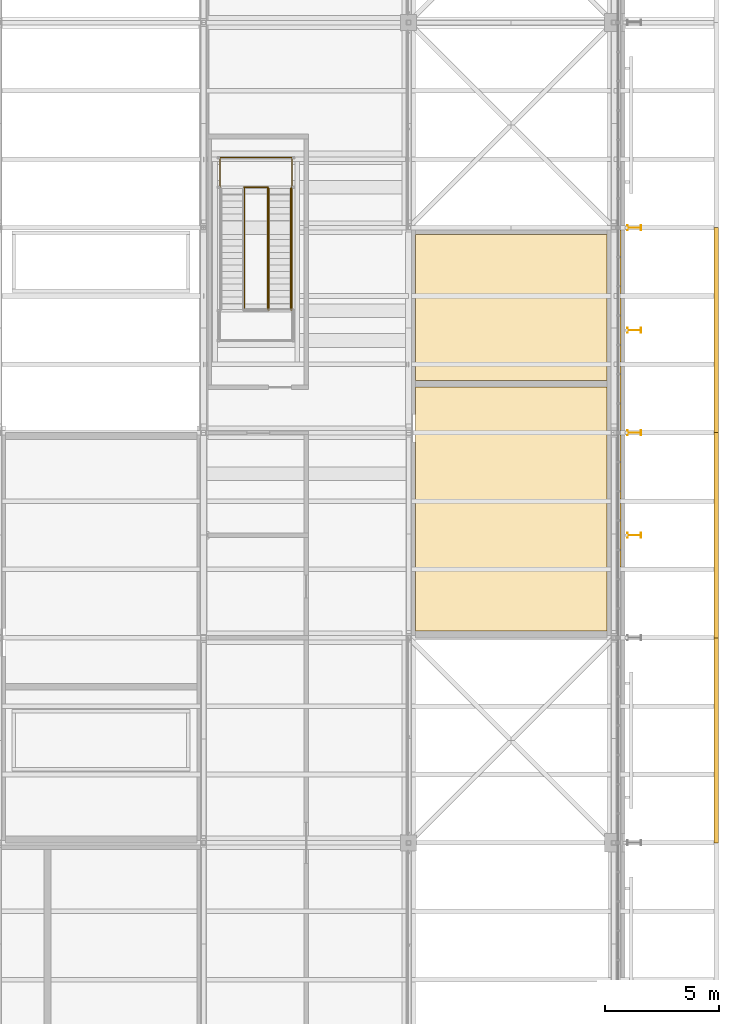
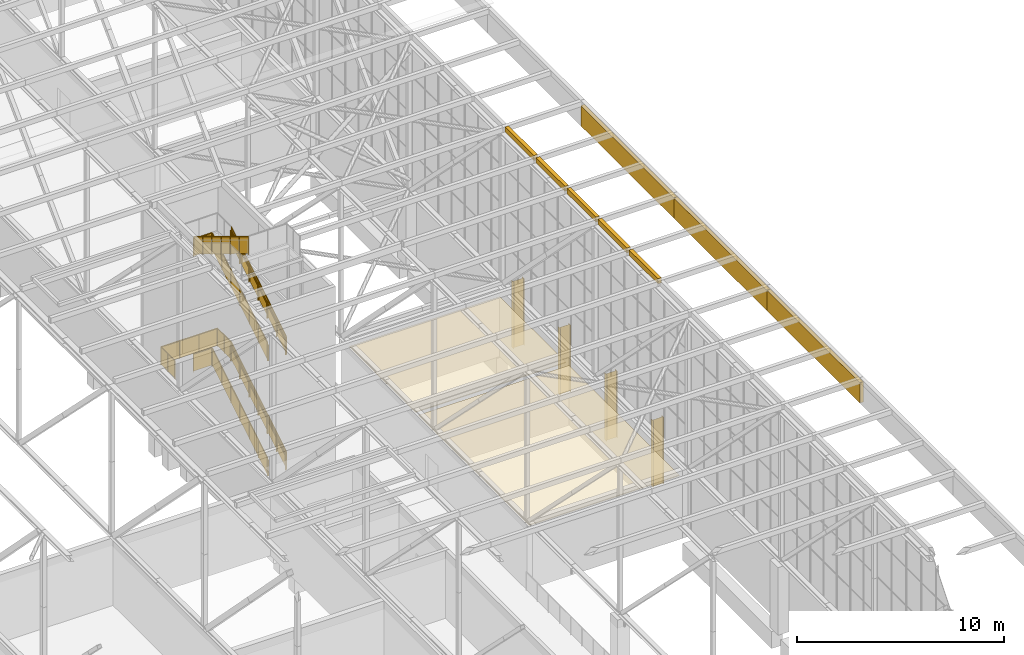
# One storey, part 639 of 646: 12 railings, 10 coverings, 4 shading devices.
"""IFC4 building model written with IfcOpenShell, lengths in metres."""

from ifc_helpers import new_model, si_unit, direction, frame, origin, origin_2d, place, context, subcontext, project, spatial, polyline, circle, i_section, outline, extrude, material, layer, layer_set, material_profile, profile_set, type_object, element, save


model = new_model("IFC4")

# Units and contexts
model_context = context("Model", 3, precision=1e-05, world=origin(), true_north=direction((0.0, 1.0)))
body_context = subcontext(model_context, "Body", "Model", "MODEL_VIEW")
ifc_project = project(units=[si_unit("LENGTHUNIT", "METRE"), si_unit("AREAUNIT", "SQUARE_METRE"), si_unit("VOLUMEUNIT", "CUBIC_METRE"), si_unit("PLANEANGLEUNIT", "RADIAN"), si_unit("MASSUNIT", "GRAM", prefix="KILO")], contexts=[model_context])

# Site, building, storey
site_placement = place(None, origin())
site = spatial("IfcSite", under=ifc_project, at=site_placement, CompositionType="ELEMENT")
building_placement = place(site_placement, origin())
building = spatial("IfcBuilding", under=site, at=building_placement, Name="Silverbay Arena", CompositionType="ELEMENT")
storey_placement = place(building_placement, frame((0.0, 0.0, 33.5)))
storey = spatial("IfcBuildingStorey", under=building, at=storey_placement, Name="L05", CompositionType="ELEMENT", Elevation=33.5)

# Coverings
ifc_material_1 = material(Name="Fire-resisting board ceiling")
ifc_layer_1 = layer(ifc_material_1, 0.050048828125)
ifc_layer_set_1 = layer_set([ifc_layer_1], Name="Fire-resisting board ceiling")
covering_type_1 = type_object("IfcCoveringType", Name="Fire-resisting ceiling EI 120", PredefinedType="CEILING", material=ifc_layer_set_1)
covering_1_placement = place(storey_placement, frame((0.0, 0.0, 3.5)))
element("IfcCovering", 1, at=covering_1_placement, inside=storey, type_object=covering_type_1, Name="Fire-resisting ceiling 65", PredefinedType="CEILING", context=body_context, shape_type="SweptSolid", body=[
    extrude(outline(polyline([(198.300048828125, 54.300048828125), (206.699951171875, 54.300048828125), (206.699951171875, 65.0), (198.300048828125, 65.0), (198.300048828125, 54.300048828125)])), origin(), (0.0, 0.0, 1.0), 0.050048828125),
])
covering_2_placement = place(storey_placement, frame((0.0, 0.0, 3.5)))
element("IfcCovering", 2, at=covering_2_placement, inside=storey, type_object=covering_type_1, Name="Fire-resisting ceiling 66", PredefinedType="CEILING", context=body_context, shape_type="SweptSolid", body=[
    extrude(outline(polyline([(198.300048828125, 65.300048828125), (206.699951171875, 65.300048828125), (206.699951171875, 71.699951171875), (198.300048828125, 71.699951171875), (198.300048828125, 65.300048828125)])), origin(), (0.0, 0.0, 1.0), 0.050048828125),
])
ifc_material_2 = material(Name="Insulated metal cladding panel")
ifc_layer_2 = layer(ifc_material_2, 0.199951171875)
ifc_layer_set_2 = layer_set([ifc_layer_2], Name="Insulated metal cladding panel")
covering_type_2 = type_object("IfcCoveringType", Name="Gable head closer 200", PredefinedType="CLADDING", material=ifc_layer_set_2)
covering_3_placement = place(storey_placement, frame((0.0, 0.0, 13.0)))
element("IfcCovering", 3, at=covering_3_placement, inside=storey, type_object=covering_type_2, Name="ROOF GABLE HEAD CLOSER east 17", PredefinedType="CLADDING", context=body_context, shape_type="SweptSolid", body=[
    extrude(outline(polyline([(207.110107421875, 57.10009765625), (207.31005859375, 57.10009765625), (207.31005859375, 59.89990234375), (207.110107421875, 59.89990234375), (207.110107421875, 57.10009765625)])), origin(), (0.0, 0.0, 1.0), 0.300048828125),
])
covering_4_placement = place(storey_placement, frame((0.0, 0.0, 13.0)))
element("IfcCovering", 4, at=covering_4_placement, inside=storey, type_object=covering_type_2, Name="ROOF GABLE HEAD CLOSER east 18", PredefinedType="CLADDING", context=body_context, shape_type="SweptSolid", body=[
    extrude(outline(polyline([(207.110107421875, 60.10009765625), (207.31005859375, 60.10009765625), (207.31005859375, 62.89990234375), (207.110107421875, 62.89990234375), (207.110107421875, 60.10009765625)])), origin(), (0.0, 0.0, 1.0), 0.300048828125),
])
covering_5_placement = place(storey_placement, frame((0.0, 0.0, 13.0)))
element("IfcCovering", 5, at=covering_5_placement, inside=storey, type_object=covering_type_2, Name="ROOF GABLE HEAD CLOSER east 19", PredefinedType="CLADDING", context=body_context, shape_type="SweptSolid", body=[
    extrude(outline(polyline([(207.110107421875, 63.10009765625), (207.31005859375, 63.10009765625), (207.31005859375, 65.89990234375), (207.110107421875, 65.89990234375), (207.110107421875, 63.10009765625)])), origin(), (0.0, 0.0, 1.0), 0.300048828125),
])
covering_6_placement = place(storey_placement, frame((0.0, 0.0, 13.0)))
element("IfcCovering", 6, at=covering_6_placement, inside=storey, type_object=covering_type_2, Name="ROOF GABLE HEAD CLOSER east 20", PredefinedType="CLADDING", context=body_context, shape_type="SweptSolid", body=[
    extrude(outline(polyline([(207.110107421875, 66.10009765625), (207.31005859375, 66.10009765625), (207.31005859375, 68.89990234375), (207.110107421875, 68.89990234375), (207.110107421875, 66.10009765625)])), origin(), (0.0, 0.0, 1.0), 0.300048828125),
])
covering_7_placement = place(storey_placement, frame((0.0, 0.0, 13.0)))
element("IfcCovering", 7, at=covering_7_placement, inside=storey, type_object=covering_type_2, Name="ROOF GABLE HEAD CLOSER east 21", PredefinedType="CLADDING", context=body_context, shape_type="SweptSolid", body=[
    extrude(outline(polyline([(207.110107421875, 69.10009765625), (207.31005859375, 69.10009765625), (207.31005859375, 71.89990234375), (207.110107421875, 71.89990234375), (207.110107421875, 69.10009765625)])), origin(), (0.0, 0.0, 1.0), 0.300048828125),
])
ifc_material_3 = material(Name="Insulated metal cladding panel")
ifc_layer_3 = layer(ifc_material_3, 0.199951171875)
ifc_layer_set_3 = layer_set([ifc_layer_3], Name="Insulated metal cladding panel")
covering_type_3 = type_object("IfcCoveringType", Name="Roof edge fascia 200", PredefinedType="CLADDING", material=ifc_layer_set_3)
covering_8_placement = place(storey_placement, frame((0.0, 0.0, 11.800048828125)))
element("IfcCovering", 8, at=covering_8_placement, inside=storey, type_object=covering_type_3, Name="ROOF EDGE FASCIA east bay 05", PredefinedType="CLADDING", context=body_context, shape_type="SweptSolid", body=[
    extrude(outline(polyline([(211.39990234375, 45.0), (211.60009765625, 45.0), (211.60009765625, 54.0), (211.39990234375, 54.0), (211.39990234375, 45.0)])), origin(), (0.0, 0.0, 1.0), 1.199951171875),
])
covering_9_placement = place(storey_placement, frame((0.0, 0.0, 11.800048828125)))
element("IfcCovering", 9, at=covering_9_placement, inside=storey, type_object=covering_type_3, Name="ROOF EDGE FASCIA east bay 06", PredefinedType="CLADDING", context=body_context, shape_type="SweptSolid", body=[
    extrude(outline(polyline([(211.39990234375, 54.0), (211.60009765625, 54.0), (211.60009765625, 63.0), (211.39990234375, 63.0), (211.39990234375, 54.0)])), origin(), (0.0, 0.0, 1.0), 1.199951171875),
])
covering_10_placement = place(storey_placement, frame((0.0, 0.0, 11.800048828125)))
element("IfcCovering", 10, at=covering_10_placement, inside=storey, type_object=covering_type_3, Name="ROOF EDGE FASCIA east bay 07", PredefinedType="CLADDING", context=body_context, shape_type="SweptSolid", body=[
    extrude(outline(polyline([(211.39990234375, 63.0), (211.60009765625, 63.0), (211.60009765625, 72.0), (211.39990234375, 72.0), (211.39990234375, 63.0)])), origin(), (0.0, 0.0, 1.0), 1.199951171875),
])

# Railings
ifc_material_4 = material(Name="Stainless steel", Category="steel")
railing_type_1 = type_object("IfcRailingType", Name="Stair guard 1100", PredefinedType="GUARDRAIL", material=ifc_material_4)
railing_1_placement = place(storey_placement, frame((192.875, 68.39990234375, 0.169921875)))
element("IfcRailing", 11, at=railing_1_placement, inside=storey, type_object=railing_type_1, Name="Stair RA2 L05 to ROOF flight 1 guard left", PredefinedType="GUARDRAIL", context=body_context, shape_type="SweptSolid", body=[
    extrude(circle(Radius=0.02392578125, at=origin_2d()), frame((0.0, 0.0, 1.076171875), z_axis=(0.0, 0.854791865604, 0.518970968838), x_axis=(-1.0, 0.0, 0.0)), (0.0, 0.0, 1.0), 6.223876953125),
    extrude(outline(polyline([(-0.008056640625, 0.045166015625), (0.894775390625, 0.59326171875), (0.894775390625, 1.59619140625), (-0.008056640625, 1.048095703125), (-0.008056640625, 0.045166015625)])), frame((-0.0029296875, 0.0, 0.0), z_axis=(1.0, 0.0, 0.0), x_axis=(0.0, 1.0, 0.0)), (0.0, 0.0, 1.0), 0.006103515625),
    extrude(outline(polyline([(-0.008056640625, 0.58349609375), (0.894775390625, 1.131591796875), (0.894775390625, 2.134521484375), (-0.008056640625, 1.58642578125), (-0.008056640625, 0.58349609375)])), frame((-0.0029296875, 0.88671875, 0.0), z_axis=(1.0, 0.0, 0.0), x_axis=(0.0, 1.0, 0.0)), (0.0, 0.0, 1.0), 0.006103515625),
    extrude(outline(polyline([(-0.008056640625, 1.121826171875), (0.894775390625, 1.669921875), (0.894775390625, 2.6728515625), (-0.008056640625, 2.124755859375), (-0.008056640625, 1.121826171875)])), frame((-0.0029296875, 1.7734375, 0.0), z_axis=(1.0, 0.0, 0.0), x_axis=(0.0, 1.0, 0.0)), (0.0, 0.0, 1.0), 0.006103515625),
    extrude(outline(polyline([(-0.008056640625, 1.66015625), (0.894775390625, 2.208251953125), (0.894775390625, 3.211181640625), (-0.008056640625, 2.6630859375), (-0.008056640625, 1.66015625)])), frame((-0.0029296875, 2.66015625, 0.0), z_axis=(1.0, 0.0, 0.0), x_axis=(0.0, 1.0, 0.0)), (0.0, 0.0, 1.0), 0.006103515625),
    extrude(outline(polyline([(-0.008056640625, 2.198486328125), (0.894775390625, 2.74658203125), (0.894775390625, 3.74951171875), (-0.008056640625, 3.201416015625), (-0.008056640625, 2.198486328125)])), frame((-0.0029296875, 3.546630859375, 0.0), z_axis=(1.0, 0.0, 0.0), x_axis=(0.0, 1.0, 0.0)), (0.0, 0.0, 1.0), 0.006103515625),
    extrude(outline(polyline([(-0.008056640625, 2.73681640625), (0.894775390625, 3.284912109375), (0.894775390625, 4.287841796875), (-0.008056640625, 3.73974609375), (-0.008056640625, 2.73681640625)])), frame((-0.0029296875, 4.433349609375, 0.0), z_axis=(1.0, 0.0, 0.0), x_axis=(0.0, 1.0, 0.0)), (0.0, 0.0, 1.0), 0.006103515625),
    extrude(circle(Radius=0.02099609375, at=origin_2d()), origin(), (0.0, 0.0, 1.0), 1.052001953125),
    extrude(circle(Radius=0.02099609375, at=origin_2d()), frame((0.0, 0.88671875, 0.538330078125)), (0.0, 0.0, 1.0), 1.052001953125),
    extrude(circle(Radius=0.02099609375, at=origin_2d()), frame((0.0, 1.7734375, 1.07666015625)), (0.0, 0.0, 1.0), 1.052001953125),
    extrude(circle(Radius=0.02099609375, at=origin_2d()), frame((0.0, 2.66015625, 1.614990234375)), (0.0, 0.0, 1.0), 1.052001953125),
    extrude(circle(Radius=0.02099609375, at=origin_2d()), frame((0.0, 3.546630859375, 2.1533203125)), (0.0, 0.0, 1.0), 1.052001953125),
    extrude(circle(Radius=0.02099609375, at=origin_2d()), frame((0.0, 4.433349609375, 2.691650390625)), (0.0, 0.0, 1.0), 1.052001953125),
    extrude(circle(Radius=0.02099609375, at=origin_2d()), frame((0.0, 5.320068359375, 3.22998046875)), (0.0, 0.0, 1.0), 1.052001953125),
])
railing_2_placement = place(storey_placement, frame((191.824951171875, 68.39990234375, 0.169921875)))
element("IfcRailing", 12, at=railing_2_placement, inside=storey, type_object=railing_type_1, Name="Stair RA2 L05 to ROOF flight 1 guard right", PredefinedType="GUARDRAIL", context=body_context, shape_type="SweptSolid", body=[
    extrude(circle(Radius=0.02392578125, at=origin_2d()), frame((0.0, 0.0, 1.076171875), z_axis=(0.0, 0.854791865604, 0.518970968838), x_axis=(-1.0, 0.0, 0.0)), (0.0, 0.0, 1.0), 6.223876953125),
    extrude(outline(polyline([(-0.008056640625, 0.045166015625), (0.894775390625, 0.59326171875), (0.894775390625, 1.59619140625), (-0.008056640625, 1.048095703125), (-0.008056640625, 0.045166015625)])), frame((-0.0029296875, 0.0, 0.0), z_axis=(1.0, 0.0, 0.0), x_axis=(0.0, 1.0, 0.0)), (0.0, 0.0, 1.0), 0.006103515625),
    extrude(outline(polyline([(-0.008056640625, 0.58349609375), (0.894775390625, 1.131591796875), (0.894775390625, 2.134521484375), (-0.008056640625, 1.58642578125), (-0.008056640625, 0.58349609375)])), frame((-0.0029296875, 0.88671875, 0.0), z_axis=(1.0, 0.0, 0.0), x_axis=(0.0, 1.0, 0.0)), (0.0, 0.0, 1.0), 0.006103515625),
    extrude(outline(polyline([(-0.008056640625, 1.121826171875), (0.894775390625, 1.669921875), (0.894775390625, 2.6728515625), (-0.008056640625, 2.124755859375), (-0.008056640625, 1.121826171875)])), frame((-0.0029296875, 1.7734375, 0.0), z_axis=(1.0, 0.0, 0.0), x_axis=(0.0, 1.0, 0.0)), (0.0, 0.0, 1.0), 0.006103515625),
    extrude(outline(polyline([(-0.008056640625, 1.66015625), (0.894775390625, 2.208251953125), (0.894775390625, 3.211181640625), (-0.008056640625, 2.6630859375), (-0.008056640625, 1.66015625)])), frame((-0.0029296875, 2.66015625, 0.0), z_axis=(1.0, 0.0, 0.0), x_axis=(0.0, 1.0, 0.0)), (0.0, 0.0, 1.0), 0.006103515625),
    extrude(outline(polyline([(-0.008056640625, 2.198486328125), (0.894775390625, 2.74658203125), (0.894775390625, 3.74951171875), (-0.008056640625, 3.201416015625), (-0.008056640625, 2.198486328125)])), frame((-0.0029296875, 3.546630859375, 0.0), z_axis=(1.0, 0.0, 0.0), x_axis=(0.0, 1.0, 0.0)), (0.0, 0.0, 1.0), 0.006103515625),
    extrude(outline(polyline([(-0.008056640625, 2.73681640625), (0.894775390625, 3.284912109375), (0.894775390625, 4.287841796875), (-0.008056640625, 3.73974609375), (-0.008056640625, 2.73681640625)])), frame((-0.0029296875, 4.433349609375, 0.0), z_axis=(1.0, 0.0, 0.0), x_axis=(0.0, 1.0, 0.0)), (0.0, 0.0, 1.0), 0.006103515625),
    extrude(circle(Radius=0.02099609375, at=origin_2d()), origin(), (0.0, 0.0, 1.0), 1.052001953125),
    extrude(circle(Radius=0.02099609375, at=origin_2d()), frame((0.0, 0.88671875, 0.538330078125)), (0.0, 0.0, 1.0), 1.052001953125),
    extrude(circle(Radius=0.02099609375, at=origin_2d()), frame((0.0, 1.7734375, 1.07666015625)), (0.0, 0.0, 1.0), 1.052001953125),
    extrude(circle(Radius=0.02099609375, at=origin_2d()), frame((0.0, 2.66015625, 1.614990234375)), (0.0, 0.0, 1.0), 1.052001953125),
    extrude(circle(Radius=0.02099609375, at=origin_2d()), frame((0.0, 3.546630859375, 2.1533203125)), (0.0, 0.0, 1.0), 1.052001953125),
    extrude(circle(Radius=0.02099609375, at=origin_2d()), frame((0.0, 4.433349609375, 2.691650390625)), (0.0, 0.0, 1.0), 1.052001953125),
    extrude(circle(Radius=0.02099609375, at=origin_2d()), frame((0.0, 5.320068359375, 3.22998046875)), (0.0, 0.0, 1.0), 1.052001953125),
])
railing_3_placement = place(storey_placement, frame((192.875, 68.39990234375, 6.969970703125)))
element("IfcRailing", 13, at=railing_3_placement, inside=storey, type_object=railing_type_1, Name="Stair RA2 L05 to ROOF flight 3 guard left", PredefinedType="GUARDRAIL", context=body_context, shape_type="SweptSolid", body=[
    extrude(circle(Radius=0.02392578125, at=origin_2d()), frame((0.0, 0.0, 1.076171875), z_axis=(0.0, 0.854791865604, 0.518970968838), x_axis=(-1.0, 0.0, 0.0)), (0.0, 0.0, 1.0), 6.223876953125),
    extrude(outline(polyline([(-0.008056640625, 0.045166015625), (0.894775390625, 0.59326171875), (0.894775390625, 1.59619140625), (-0.008056640625, 1.048095703125), (-0.008056640625, 0.045166015625)])), frame((-0.0029296875, 0.0, 0.0), z_axis=(1.0, 0.0, 0.0), x_axis=(0.0, 1.0, 0.0)), (0.0, 0.0, 1.0), 0.006103515625),
    extrude(outline(polyline([(-0.008056640625, 0.58349609375), (0.894775390625, 1.131591796875), (0.894775390625, 2.134521484375), (-0.008056640625, 1.58642578125), (-0.008056640625, 0.58349609375)])), frame((-0.0029296875, 0.88671875, 0.0), z_axis=(1.0, 0.0, 0.0), x_axis=(0.0, 1.0, 0.0)), (0.0, 0.0, 1.0), 0.006103515625),
    extrude(outline(polyline([(-0.008056640625, 1.121826171875), (0.894775390625, 1.669921875), (0.894775390625, 2.6728515625), (-0.008056640625, 2.124755859375), (-0.008056640625, 1.121826171875)])), frame((-0.0029296875, 1.7734375, 0.0), z_axis=(1.0, 0.0, 0.0), x_axis=(0.0, 1.0, 0.0)), (0.0, 0.0, 1.0), 0.006103515625),
    extrude(outline(polyline([(-0.008056640625, 1.66015625), (0.894775390625, 2.208251953125), (0.894775390625, 3.211181640625), (-0.008056640625, 2.6630859375), (-0.008056640625, 1.66015625)])), frame((-0.0029296875, 2.66015625, 0.0), z_axis=(1.0, 0.0, 0.0), x_axis=(0.0, 1.0, 0.0)), (0.0, 0.0, 1.0), 0.006103515625),
    extrude(outline(polyline([(-0.008056640625, 2.198486328125), (0.894775390625, 2.74658203125), (0.894775390625, 3.74951171875), (-0.008056640625, 3.201416015625), (-0.008056640625, 2.198486328125)])), frame((-0.0029296875, 3.546630859375, 0.0), z_axis=(1.0, 0.0, 0.0), x_axis=(0.0, 1.0, 0.0)), (0.0, 0.0, 1.0), 0.006103515625),
    extrude(outline(polyline([(-0.008056640625, 2.73681640625), (0.894775390625, 3.284912109375), (0.894775390625, 4.287841796875), (-0.008056640625, 3.73974609375), (-0.008056640625, 2.73681640625)])), frame((-0.0029296875, 4.433349609375, 0.0), z_axis=(1.0, 0.0, 0.0), x_axis=(0.0, 1.0, 0.0)), (0.0, 0.0, 1.0), 0.006103515625),
    extrude(circle(Radius=0.02099609375, at=origin_2d()), origin(), (0.0, 0.0, 1.0), 1.052001953125),
    extrude(circle(Radius=0.02099609375, at=origin_2d()), frame((0.0, 0.88671875, 0.538330078125)), (0.0, 0.0, 1.0), 1.052001953125),
    extrude(circle(Radius=0.02099609375, at=origin_2d()), frame((0.0, 1.7734375, 1.07666015625)), (0.0, 0.0, 1.0), 1.052001953125),
    extrude(circle(Radius=0.02099609375, at=origin_2d()), frame((0.0, 2.66015625, 1.614990234375)), (0.0, 0.0, 1.0), 1.052001953125),
    extrude(circle(Radius=0.02099609375, at=origin_2d()), frame((0.0, 3.546630859375, 2.1533203125)), (0.0, 0.0, 1.0), 1.052001953125),
    extrude(circle(Radius=0.02099609375, at=origin_2d()), frame((0.0, 4.433349609375, 2.691650390625)), (0.0, 0.0, 1.0), 1.052001953125),
    extrude(circle(Radius=0.02099609375, at=origin_2d()), frame((0.0, 5.320068359375, 3.22998046875)), (0.0, 0.0, 1.0), 1.052001953125),
])
railing_4_placement = place(storey_placement, frame((191.824951171875, 68.39990234375, 6.969970703125)))
element("IfcRailing", 14, at=railing_4_placement, inside=storey, type_object=railing_type_1, Name="Stair RA2 L05 to ROOF flight 3 guard right", PredefinedType="GUARDRAIL", context=body_context, shape_type="SweptSolid", body=[
    extrude(circle(Radius=0.02392578125, at=origin_2d()), frame((0.0, 0.0, 1.076171875), z_axis=(0.0, 0.854791865604, 0.518970968838), x_axis=(-1.0, 0.0, 0.0)), (0.0, 0.0, 1.0), 6.223876953125),
    extrude(outline(polyline([(-0.008056640625, 0.045166015625), (0.894775390625, 0.59326171875), (0.894775390625, 1.59619140625), (-0.008056640625, 1.048095703125), (-0.008056640625, 0.045166015625)])), frame((-0.0029296875, 0.0, 0.0), z_axis=(1.0, 0.0, 0.0), x_axis=(0.0, 1.0, 0.0)), (0.0, 0.0, 1.0), 0.006103515625),
    extrude(outline(polyline([(-0.008056640625, 0.58349609375), (0.894775390625, 1.131591796875), (0.894775390625, 2.134521484375), (-0.008056640625, 1.58642578125), (-0.008056640625, 0.58349609375)])), frame((-0.0029296875, 0.88671875, 0.0), z_axis=(1.0, 0.0, 0.0), x_axis=(0.0, 1.0, 0.0)), (0.0, 0.0, 1.0), 0.006103515625),
    extrude(outline(polyline([(-0.008056640625, 1.121826171875), (0.894775390625, 1.669921875), (0.894775390625, 2.6728515625), (-0.008056640625, 2.124755859375), (-0.008056640625, 1.121826171875)])), frame((-0.0029296875, 1.7734375, 0.0), z_axis=(1.0, 0.0, 0.0), x_axis=(0.0, 1.0, 0.0)), (0.0, 0.0, 1.0), 0.006103515625),
    extrude(outline(polyline([(-0.008056640625, 1.66015625), (0.894775390625, 2.208251953125), (0.894775390625, 3.211181640625), (-0.008056640625, 2.6630859375), (-0.008056640625, 1.66015625)])), frame((-0.0029296875, 2.66015625, 0.0), z_axis=(1.0, 0.0, 0.0), x_axis=(0.0, 1.0, 0.0)), (0.0, 0.0, 1.0), 0.006103515625),
    extrude(outline(polyline([(-0.008056640625, 2.198486328125), (0.894775390625, 2.74658203125), (0.894775390625, 3.74951171875), (-0.008056640625, 3.201416015625), (-0.008056640625, 2.198486328125)])), frame((-0.0029296875, 3.546630859375, 0.0), z_axis=(1.0, 0.0, 0.0), x_axis=(0.0, 1.0, 0.0)), (0.0, 0.0, 1.0), 0.006103515625),
    extrude(outline(polyline([(-0.008056640625, 2.73681640625), (0.894775390625, 3.284912109375), (0.894775390625, 4.287841796875), (-0.008056640625, 3.73974609375), (-0.008056640625, 2.73681640625)])), frame((-0.0029296875, 4.433349609375, 0.0), z_axis=(1.0, 0.0, 0.0), x_axis=(0.0, 1.0, 0.0)), (0.0, 0.0, 1.0), 0.006103515625),
    extrude(circle(Radius=0.02099609375, at=origin_2d()), origin(), (0.0, 0.0, 1.0), 1.052001953125),
    extrude(circle(Radius=0.02099609375, at=origin_2d()), frame((0.0, 0.88671875, 0.538330078125)), (0.0, 0.0, 1.0), 1.052001953125),
    extrude(circle(Radius=0.02099609375, at=origin_2d()), frame((0.0, 1.7734375, 1.07666015625)), (0.0, 0.0, 1.0), 1.052001953125),
    extrude(circle(Radius=0.02099609375, at=origin_2d()), frame((0.0, 2.66015625, 1.614990234375)), (0.0, 0.0, 1.0), 1.052001953125),
    extrude(circle(Radius=0.02099609375, at=origin_2d()), frame((0.0, 3.546630859375, 2.1533203125)), (0.0, 0.0, 1.0), 1.052001953125),
    extrude(circle(Radius=0.02099609375, at=origin_2d()), frame((0.0, 4.433349609375, 2.691650390625)), (0.0, 0.0, 1.0), 1.052001953125),
    extrude(circle(Radius=0.02099609375, at=origin_2d()), frame((0.0, 5.320068359375, 3.22998046875)), (0.0, 0.0, 1.0), 1.052001953125),
])
railing_5_placement = place(storey_placement, frame((190.77490234375, 73.719970703125, 10.3701171875)))
element("IfcRailing", 15, at=railing_5_placement, inside=storey, type_object=railing_type_1, Name="Stair RA2 L05 to ROOF flight 4 guard left", PredefinedType="GUARDRAIL", context=body_context, shape_type="SweptSolid", body=[
    extrude(circle(Radius=0.02392578125, at=origin_2d()), frame((0.0, 0.0, 1.076171875), z_axis=(0.0, -0.854791865604, 0.518970968838), x_axis=(1.0, 0.0, 0.0)), (0.0, 0.0, 1.0), 6.223876953125),
    extrude(outline(polyline([(-0.008056640625, 0.045166015625), (0.894775390625, 0.59326171875), (0.894775390625, 1.59619140625), (-0.008056640625, 1.048095703125), (-0.008056640625, 0.045166015625)])), frame((0.0029296875, 0.0, 0.0), z_axis=(-1.0, 0.0, 0.0), x_axis=(0.0, -1.0, 0.0)), (0.0, 0.0, 1.0), 0.006103515625),
    extrude(outline(polyline([(-0.008056640625, 0.58349609375), (0.894775390625, 1.131591796875), (0.894775390625, 2.134521484375), (-0.008056640625, 1.58642578125), (-0.008056640625, 0.58349609375)])), frame((0.0029296875, -0.88671875, 0.0), z_axis=(-1.0, 0.0, 0.0), x_axis=(0.0, -1.0, 0.0)), (0.0, 0.0, 1.0), 0.006103515625),
    extrude(outline(polyline([(-0.008056640625, 1.121826171875), (0.894775390625, 1.669921875), (0.894775390625, 2.6728515625), (-0.008056640625, 2.124755859375), (-0.008056640625, 1.121826171875)])), frame((0.0029296875, -1.7734375, 0.0), z_axis=(-1.0, 0.0, 0.0), x_axis=(0.0, -1.0, 0.0)), (0.0, 0.0, 1.0), 0.006103515625),
    extrude(outline(polyline([(-0.008056640625, 1.66015625), (0.894775390625, 2.208251953125), (0.894775390625, 3.211181640625), (-0.008056640625, 2.6630859375), (-0.008056640625, 1.66015625)])), frame((0.0029296875, -2.66015625, 0.0), z_axis=(-1.0, 0.0, 0.0), x_axis=(0.0, -1.0, 0.0)), (0.0, 0.0, 1.0), 0.006103515625),
    extrude(outline(polyline([(-0.008056640625, 2.198486328125), (0.894775390625, 2.74658203125), (0.894775390625, 3.74951171875), (-0.008056640625, 3.201416015625), (-0.008056640625, 2.198486328125)])), frame((0.0029296875, -3.546630859375, 0.0), z_axis=(-1.0, 0.0, 0.0), x_axis=(0.0, -1.0, 0.0)), (0.0, 0.0, 1.0), 0.006103515625),
    extrude(outline(polyline([(-0.008056640625, 2.73681640625), (0.894775390625, 3.284912109375), (0.894775390625, 4.287841796875), (-0.008056640625, 3.73974609375), (-0.008056640625, 2.73681640625)])), frame((0.0029296875, -4.433349609375, 0.0), z_axis=(-1.0, 0.0, 0.0), x_axis=(0.0, -1.0, 0.0)), (0.0, 0.0, 1.0), 0.006103515625),
    extrude(circle(Radius=0.02099609375, at=origin_2d()), origin(), (0.0, 0.0, 1.0), 1.052001953125),
    extrude(circle(Radius=0.02099609375, at=origin_2d()), frame((0.0, -0.88671875, 0.538330078125)), (0.0, 0.0, 1.0), 1.052001953125),
    extrude(circle(Radius=0.02099609375, at=origin_2d()), frame((0.0, -1.7734375, 1.07666015625)), (0.0, 0.0, 1.0), 1.052001953125),
    extrude(circle(Radius=0.02099609375, at=origin_2d()), frame((0.0, -2.66015625, 1.614990234375)), (0.0, 0.0, 1.0), 1.052001953125),
    extrude(circle(Radius=0.02099609375, at=origin_2d()), frame((0.0, -3.546630859375, 2.1533203125)), (0.0, 0.0, 1.0), 1.052001953125),
    extrude(circle(Radius=0.02099609375, at=origin_2d()), frame((0.0, -4.433349609375, 2.691650390625)), (0.0, 0.0, 1.0), 1.052001953125),
    extrude(circle(Radius=0.02099609375, at=origin_2d()), frame((0.0, -5.320068359375, 3.22998046875)), (0.0, 0.0, 1.0), 1.052001953125),
])
railing_6_placement = place(storey_placement, frame((192.875, 73.719970703125, 3.39990234375)))
element("IfcRailing", 16, at=railing_6_placement, inside=storey, type_object=railing_type_1, Name="Stair RA2 L05 to ROOF landing 1 guard", PredefinedType="GUARDRAIL", context=body_context, shape_type="SweptSolid", body=[
    extrude(circle(Radius=0.02392578125, at=origin_2d()), frame((0.0, 0.0, 1.076171875), z_axis=(0.0, 1.0, 0.0), x_axis=(-1.0, 0.0, 0.0)), (0.0, 0.0, 1.0), 1.35009765625),
    extrude(outline(polyline([(-0.008056640625, 0.050048828125), (0.68310546875, 0.050048828125), (0.68310546875, 1.052978515625), (-0.008056640625, 1.052978515625), (-0.008056640625, 0.050048828125)])), frame((-0.0029296875, 0.0, 0.0), z_axis=(1.0, 0.0, 0.0), x_axis=(0.0, 1.0, 0.0)), (0.0, 0.0, 1.0), 0.006103515625),
    extrude(outline(polyline([(-0.008056640625, 0.050048828125), (0.68310546875, 0.050048828125), (0.68310546875, 1.052978515625), (-0.008056640625, 1.052978515625), (-0.008056640625, 0.050048828125)])), frame((-0.0029296875, 0.675048828125, 0.0), z_axis=(1.0, 0.0, 0.0), x_axis=(0.0, 1.0, 0.0)), (0.0, 0.0, 1.0), 0.006103515625),
    extrude(circle(Radius=0.02392578125, at=origin_2d()), frame((0.0, 1.35009765625, 1.076171875), z_axis=(-1.0, 0.0, 0.0), x_axis=(0.0, -1.0, 0.0)), (0.0, 0.0, 1.0), 3.14990234375),
    extrude(outline(polyline([(-0.008056640625, 0.050048828125), (1.057861328125, 0.050048828125), (1.057861328125, 1.052978515625), (-0.008056640625, 1.052978515625), (-0.008056640625, 0.050048828125)])), frame((0.0, 1.34716796875, 0.0), z_axis=(0.0, 1.0, 0.0), x_axis=(-1.0, 0.0, 0.0)), (0.0, 0.0, 1.0), 0.006103515625),
    extrude(outline(polyline([(-0.008056640625, 0.050048828125), (1.057861328125, 0.050048828125), (1.057861328125, 1.052978515625), (-0.008056640625, 1.052978515625), (-0.008056640625, 0.050048828125)])), frame((-1.050048828125, 1.34716796875, 0.0), z_axis=(0.0, 1.0, 0.0), x_axis=(-1.0, 0.0, 0.0)), (0.0, 0.0, 1.0), 0.006103515625),
    extrude(outline(polyline([(-0.008056640625, 0.050048828125), (1.057861328125, 0.050048828125), (1.057861328125, 1.052978515625), (-0.008056640625, 1.052978515625), (-0.008056640625, 0.050048828125)])), frame((-2.099853515625, 1.34716796875, 0.0), z_axis=(0.0, 1.0, 0.0), x_axis=(-1.0, 0.0, 0.0)), (0.0, 0.0, 1.0), 0.006103515625),
    extrude(circle(Radius=0.02392578125, at=origin_2d()), frame((-3.14990234375, 1.35009765625, 1.076171875), z_axis=(0.0, -1.0, 0.0), x_axis=(1.0, 0.0, 0.0)), (0.0, 0.0, 1.0), 1.35009765625),
    extrude(outline(polyline([(-0.008056640625, 0.050048828125), (0.68310546875, 0.050048828125), (0.68310546875, 1.052978515625), (-0.008056640625, 1.052978515625), (-0.008056640625, 0.050048828125)])), frame((-3.14697265625, 1.35009765625, 0.0), z_axis=(-1.0, 0.0, 0.0), x_axis=(0.0, -1.0, 0.0)), (0.0, 0.0, 1.0), 0.006103515625),
    extrude(outline(polyline([(-0.008056640625, 0.050048828125), (0.68310546875, 0.050048828125), (0.68310546875, 1.052978515625), (-0.008056640625, 1.052978515625), (-0.008056640625, 0.050048828125)])), frame((-3.14697265625, 0.675048828125, 0.0), z_axis=(-1.0, 0.0, 0.0), x_axis=(0.0, -1.0, 0.0)), (0.0, 0.0, 1.0), 0.006103515625),
    extrude(circle(Radius=0.02099609375, at=origin_2d()), origin(), (0.0, 0.0, 1.0), 1.052001953125),
    extrude(circle(Radius=0.02099609375, at=origin_2d()), frame((0.0, 0.675048828125, 0.0)), (0.0, 0.0, 1.0), 1.052001953125),
    extrude(circle(Radius=0.02099609375, at=origin_2d()), frame((0.0, 1.35009765625, 0.0)), (0.0, 0.0, 1.0), 1.052001953125),
    extrude(circle(Radius=0.02099609375, at=origin_2d()), frame((-1.050048828125, 1.35009765625, 0.0)), (0.0, 0.0, 1.0), 1.052001953125),
    extrude(circle(Radius=0.02099609375, at=origin_2d()), frame((-2.099853515625, 1.35009765625, 0.0)), (0.0, 0.0, 1.0), 1.052001953125),
    extrude(circle(Radius=0.02099609375, at=origin_2d()), frame((-3.14990234375, 1.35009765625, 0.0)), (0.0, 0.0, 1.0), 1.052001953125),
    extrude(circle(Radius=0.02099609375, at=origin_2d()), frame((-3.14990234375, 0.675048828125, 0.0)), (0.0, 0.0, 1.0), 1.052001953125),
    extrude(circle(Radius=0.02099609375, at=origin_2d()), frame((-3.14990234375, 0.0, 0.0)), (0.0, 0.0, 1.0), 1.052001953125),
])
for number, where, name in (
    (17, (191.824951171875, 73.77001953125, 3.39990234375), "Stair RA2 L05 to ROOF landing 1 guard"),
    (18, (191.824951171875, 73.77001953125, 10.199951171875), "Stair RA2 L05 to ROOF landing 3 guard"),
):
    element("IfcRailing", number, at=place(storey_placement, frame(where)), inside=storey, type_object=railing_type_1, Name=name, PredefinedType="GUARDRAIL", context=body_context, shape_type="SweptSolid", body=[
        extrude(circle(Radius=0.02392578125, at=origin_2d()), frame((0.0, 0.0, 1.076171875), z_axis=(-1.0, 0.0, 0.0), x_axis=(0.0, -1.0, 0.0)), (0.0, 0.0, 1.0), 1.050048828125),
        extrude(outline(polyline([(-0.008056640625, 0.050048828125), (1.05810546875, 0.050048828125), (1.05810546875, 1.052978515625), (-0.008056640625, 1.052978515625), (-0.008056640625, 0.050048828125)])), frame((0.0, -0.0029296875, 0.0), z_axis=(0.0, 1.0, 0.0), x_axis=(-1.0, 0.0, 0.0)), (0.0, 0.0, 1.0), 0.006103515625),
        extrude(circle(Radius=0.02099609375, at=origin_2d()), origin(), (0.0, 0.0, 1.0), 1.052001953125),
        extrude(circle(Radius=0.02099609375, at=origin_2d()), frame((-1.050048828125, 0.0, 0.0)), (0.0, 0.0, 1.0), 1.052001953125),
    ])
ifc_material_5 = material(Name="Stainless steel", Category="steel")
railing_type_2 = type_object("IfcRailingType", Name="Stair handrail 900", PredefinedType="HANDRAIL", material=ifc_material_5)
for number, where, name in (
    (19, (192.8359375, 68.39990234375, 0.169921875), "Stair RA2 L05 to ROOF flight 1 handrail left"),
    (20, (191.864013671875, 68.39990234375, 0.169921875), "Stair RA2 L05 to ROOF flight 1 handrail right"),
    (21, (192.8359375, 68.39990234375, 6.969970703125), "Stair RA2 L05 to ROOF flight 3 handrail left"),
    (22, (191.864013671875, 68.39990234375, 6.969970703125), "Stair RA2 L05 to ROOF flight 3 handrail right"),
):
    element("IfcRailing", number, at=place(storey_placement, frame(where)), inside=storey, type_object=railing_type_2, Name=name, PredefinedType="HANDRAIL", context=body_context, shape_type="SweptSolid", body=[
        extrude(circle(Radius=0.02392578125, at=origin_2d()), frame((0.0, 0.0, 0.8759765625), z_axis=(0.0, 0.854791865604, 0.518970968838), x_axis=(-1.0, 0.0, 0.0)), (0.0, 0.0, 1.0), 6.223876953125),
        extrude(circle(Radius=0.02099609375, at=origin_2d()), origin(), (0.0, 0.0, 1.0), 0.851806640625),
        extrude(circle(Radius=0.02099609375, at=origin_2d()), frame((0.0, 0.88671875, 0.538330078125)), (0.0, 0.0, 1.0), 0.851806640625),
        extrude(circle(Radius=0.02099609375, at=origin_2d()), frame((0.0, 1.7734375, 1.07666015625)), (0.0, 0.0, 1.0), 0.851806640625),
        extrude(circle(Radius=0.02099609375, at=origin_2d()), frame((0.0, 2.66015625, 1.614990234375)), (0.0, 0.0, 1.0), 0.851806640625),
        extrude(circle(Radius=0.02099609375, at=origin_2d()), frame((0.0, 3.546630859375, 2.1533203125)), (0.0, 0.0, 1.0), 0.851806640625),
        extrude(circle(Radius=0.02099609375, at=origin_2d()), frame((0.0, 4.433349609375, 2.691650390625)), (0.0, 0.0, 1.0), 0.851806640625),
        extrude(circle(Radius=0.02099609375, at=origin_2d()), frame((0.0, 5.320068359375, 3.22998046875)), (0.0, 0.0, 1.0), 0.851806640625),
    ])

# Shading devices
ifc_material_6 = material(Name="Steel S355", Category="steel")
ifc_material_profile = material_profile(ifc_material_6, i_section(OverallWidth=0.2275390625, OverallDepth=0.6025390625, WebThickness=0.010498046875, FlangeThickness=0.014892578125, at=origin_2d()), Name="UB 610x229x101")
ifc_profile_set = profile_set([ifc_material_profile], Name="Steel S355")
shading_device_type = type_object("IfcShadingDeviceType", Name="Steel fin UB 610x229x101", PredefinedType="USERDEFINED", material=ifc_profile_set)
for number, where, z_axis, x_axis, name in (
    (23, (207.9013671875, 58.5, 0.0), (0.0, 0.0, 1.0), (0.0, 1.0, 0.0), "Steel fin E L05 9"),
    (24, (207.9013671875, 63.0, 0.0), (0.0, 0.0, 1.0), (0.0, 1.0, 0.0), "Steel fin E L05 10"),
    (25, (207.9013671875, 67.5, 0.0), (0.0, 0.0, 1.0), (0.0, 1.0, 0.0), "Steel fin E L05 11"),
    (26, (207.9013671875, 72.0, 0.0), (0.0, 0.0, 1.0), (0.0, 1.0, 0.0), "Steel fin E L05 12"),
):
    element("IfcShadingDevice", number, at=place(storey_placement, frame(where, z_axis=z_axis, x_axis=x_axis)), inside=storey, type_object=shading_device_type, Name=name, ObjectType="FIN", PredefinedType="USERDEFINED", context=body_context, shape_type="SweptSolid", body=[
        extrude(i_section(OverallWidth=0.2275390625, OverallDepth=0.6025390625, WebThickness=0.010498046875, FlangeThickness=0.014892578125, at=origin_2d()), origin(), (0.0, 0.0, 1.0), 3.93994140625),
    ])

save(model, "model.ifc")
